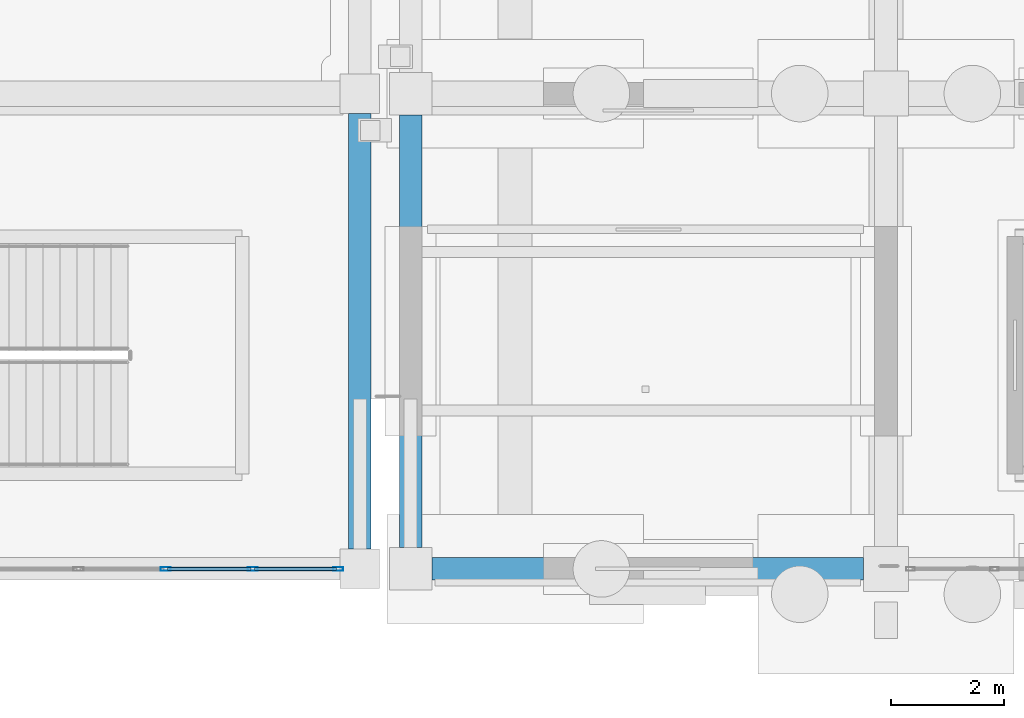
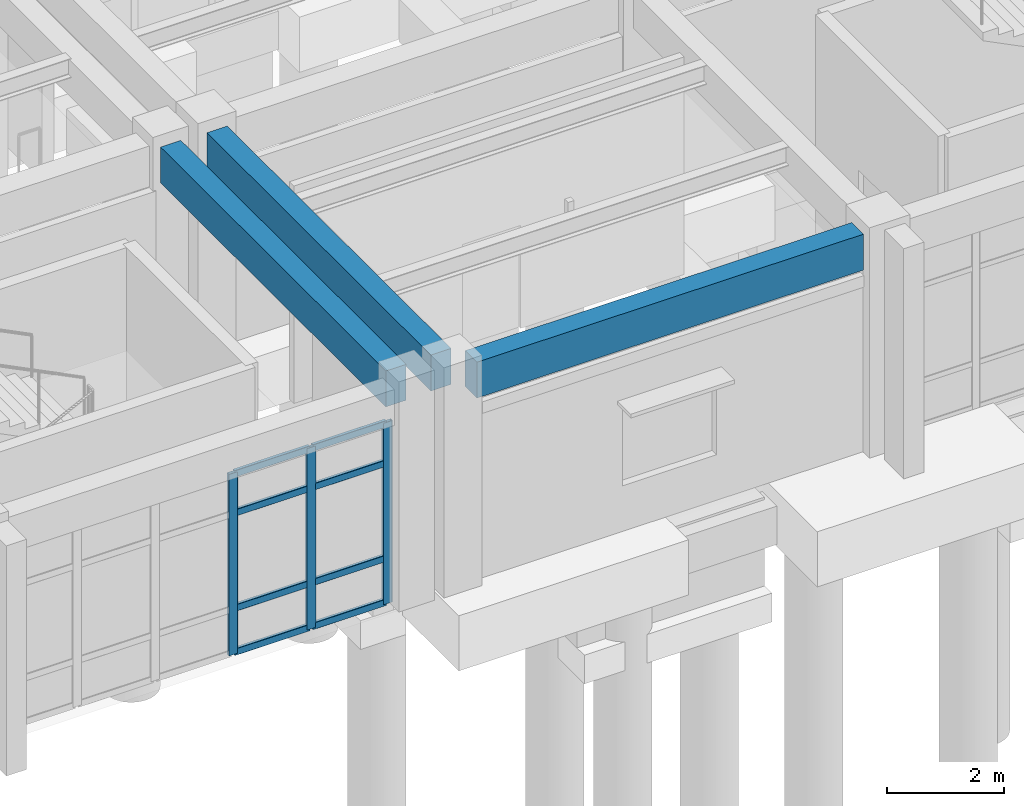
# One storey, part 22 of 111: 11 members, 3 beams, 1 element without a shape of its own.
"""IFC4 building model written with IfcOpenShell, lengths in metres."""

from ifc_helpers import new_model, si_unit, direction, frame, origin, origin_2d, place, context, subcontext, project, spatial, rectangle, hollow_rectangle, extrude, material, material_profile, profile_set, type_object, element, aggregate, save


model = new_model("IFC4")

# Units and contexts
model_context = context("Model", 3, precision=1e-05, world=origin(), true_north=direction((0.0, 1.0)))
body_context = subcontext(model_context, "Body", "Model", "MODEL_VIEW")
ifc_project = project(units=[si_unit("LENGTHUNIT", "METRE"), si_unit("AREAUNIT", "SQUARE_METRE"), si_unit("VOLUMEUNIT", "CUBIC_METRE"), si_unit("PLANEANGLEUNIT", "RADIAN"), si_unit("MASSUNIT", "GRAM", prefix="KILO")], contexts=[model_context])

# Site, building, storey
site_placement = place(None, origin())
site = spatial("IfcSite", under=ifc_project, at=site_placement, CompositionType="ELEMENT")
building_placement = place(site_placement, origin())
building = spatial("IfcBuilding", under=site, at=building_placement, Name="Canglan Escarpment Cableway Terminal", CompositionType="ELEMENT")
storey_placement = place(building_placement, frame((0.0, 0.0, 4.800048828125)))
storey = spatial("IfcBuildingStorey", under=building, at=storey_placement, Name="L01", CompositionType="ELEMENT", Elevation=4.800048828125)

# Beams
ifc_material_1 = material(Name="Concrete C40", Category="concrete")
ifc_material_profile_1 = material_profile(ifc_material_1, rectangle(XDim=0.39990234375, YDim=0.75, at=origin_2d()), Name="RC 400x750")
ifc_profile_set_1 = profile_set([ifc_material_profile_1], Name="Concrete C40")
beam_type_1 = type_object("IfcBeamType", Name="BM-RC400x750", PredefinedType="BEAM", material=ifc_profile_set_1)
beam_1_placement = place(storey_placement, frame((76.10009765625, 8.35009765625, 4.175048828125), z_axis=(0.0, 1.0, 0.0), x_axis=(-1.0, 0.0, 0.0)))
element("IfcBeam", 1, at=beam_1_placement, inside=storey, type_object=beam_type_1, Name="Primary transverse girder B-03", PredefinedType="BEAM", context=body_context, shape_type="SweptSolid", body=[
    extrude(rectangle(XDim=0.39990234375, YDim=0.75, at=origin_2d()), origin(), (0.0, 0.0, 1.0), 7.699951171875),
])
beam_2_placement = place(storey_placement, frame((77.0, 8.375, 4.175048828125), z_axis=(0.0, 1.0, 0.0), x_axis=(-1.0, 0.0, 0.0)))
element("IfcBeam", 2, at=beam_2_placement, inside=storey, type_object=beam_type_1, Name="Primary transverse girder B-03", PredefinedType="BEAM", context=body_context, shape_type="SweptSolid", body=[
    extrude(rectangle(XDim=0.39990234375, YDim=0.75, at=origin_2d()), origin(), (0.0, 0.0, 1.0), 7.64990234375),
])

# Curtain wall, members
ifc_material_2 = material(Name="Anodized bronze aluminium and Low-E double glazing", Category="aluminium")
curtain_wall_type = type_object("IfcCurtainWallType", Name="CW-BAY-7700x3775", PredefinedType="NOTDEFINED", material=ifc_material_2)
curtain_wall_placement = place(storey_placement, origin())
curtain_wall = element("IfcCurtainWall", 3, at=curtain_wall_placement, inside=storey, type_object=curtain_wall_type, Name="Classical bay-between-piers glazed curtain wall CW-04", PredefinedType="NOTDEFINED")
ifc_material_3 = material(Name="Thermally broken anodized aluminium 6063-T6", Category="aluminium")
ifc_material_profile_2 = material_profile(ifc_material_3, hollow_rectangle(XDim=0.06494140625, YDim=0.179931640625, WallThickness=0.00390625, InnerFilletRadius=0.00390625, OuterFilletRadius=0.008056640625, at=origin_2d()), Name="ALU-MULL 65x180x4")
ifc_profile_set_2 = profile_set([ifc_material_profile_2], Name="Thermally broken anodized aluminium 6063-T6")
member_type_1 = type_object("IfcMemberType", Name="CWM-03", PredefinedType="MULLION", material=ifc_profile_set_2)
member_1_placement = place(storey_placement, frame((72.669921875, 8.0, 0.0), z_axis=(0.0, 0.0, 1.0), x_axis=(0.0, 1.0, 0.0)))
member_1 = element("IfcMember", 4, at=member_1_placement, type_object=member_type_1, Name="CW-04 mullion 4", PredefinedType="MULLION", context=body_context, shape_type="SweptSolid", body=[
    extrude(hollow_rectangle(XDim=0.06494140625, YDim=0.179931640625, WallThickness=0.00390625, InnerFilletRadius=0.00390625, OuterFilletRadius=0.008056640625, at=origin_2d()), origin(), (0.0, 0.0, 1.0), 3.784912109375),
])
member_2_placement = place(storey_placement, frame((74.2099609375, 8.0, 0.0), z_axis=(0.0, 0.0, 1.0), x_axis=(0.0, 1.0, 0.0)))
member_2 = element("IfcMember", 5, at=member_2_placement, type_object=member_type_1, Name="CW-04 mullion 5", PredefinedType="MULLION", context=body_context, shape_type="SweptSolid", body=[
    extrude(hollow_rectangle(XDim=0.06494140625, YDim=0.179931640625, WallThickness=0.00390625, InnerFilletRadius=0.00390625, OuterFilletRadius=0.008056640625, at=origin_2d()), origin(), (0.0, 0.0, 1.0), 3.784912109375),
])
member_3_placement = place(storey_placement, frame((75.717529296875, 8.0, 0.0), z_axis=(0.0, 0.0, 1.0), x_axis=(0.0, 1.0, 0.0)))
member_3 = element("IfcMember", 6, at=member_3_placement, type_object=member_type_1, Name="CW-04 mullion 6", PredefinedType="MULLION", context=body_context, shape_type="SweptSolid", body=[
    extrude(hollow_rectangle(XDim=0.06494140625, YDim=0.179931640625, WallThickness=0.00390625, InnerFilletRadius=0.00390625, OuterFilletRadius=0.008056640625, at=origin_2d()), origin(), (0.0, 0.0, 1.0), 3.784912109375),
])
ifc_material_profile_3 = material_profile(ifc_material_3, hollow_rectangle(XDim=0.06494140625, YDim=0.139892578125, WallThickness=0.00341796875, InnerFilletRadius=0.00341796875, OuterFilletRadius=0.007080078125, at=origin_2d()), Name="ALU-TRAN 65x140x3.5")
ifc_profile_set_3 = profile_set([ifc_material_profile_3], Name="Thermally broken anodized aluminium 6063-T6")
member_type_2 = type_object("IfcMemberType", Name="CWT-03", PredefinedType="USERDEFINED", material=ifc_profile_set_3)
member_4_placement = place(storey_placement, frame((72.702392578125, 8.0, 0.032470703125), z_axis=(1.0, 0.0, 0.0), x_axis=(0.0, 1.0, 0.0)))
member_4 = element("IfcMember", 7, at=member_4_placement, type_object=member_type_2, Name="CW-04 transom 4.1", ObjectType="TRANSOM", PredefinedType="USERDEFINED", context=body_context, shape_type="SweptSolid", body=[
    extrude(hollow_rectangle(XDim=0.06494140625, YDim=0.139892578125, WallThickness=0.00341796875, InnerFilletRadius=0.00341796875, OuterFilletRadius=0.007080078125, at=origin_2d()), origin(), (0.0, 0.0, 1.0), 1.47509765625),
])
member_5_placement = place(storey_placement, frame((72.702392578125, 8.0, 0.949951171875), z_axis=(1.0, 0.0, 0.0), x_axis=(0.0, 1.0, 0.0)))
member_5 = element("IfcMember", 8, at=member_5_placement, type_object=member_type_2, Name="CW-04 transom 4.2", ObjectType="TRANSOM", PredefinedType="USERDEFINED", context=body_context, shape_type="SweptSolid", body=[
    extrude(hollow_rectangle(XDim=0.06494140625, YDim=0.139892578125, WallThickness=0.00341796875, InnerFilletRadius=0.00341796875, OuterFilletRadius=0.007080078125, at=origin_2d()), origin(), (0.0, 0.0, 1.0), 1.47509765625),
])
member_6_placement = place(storey_placement, frame((72.702392578125, 8.0, 2.93505859375), z_axis=(1.0, 0.0, 0.0), x_axis=(0.0, 1.0, 0.0)))
member_6 = element("IfcMember", 9, at=member_6_placement, type_object=member_type_2, Name="CW-04 transom 4.3", ObjectType="TRANSOM", PredefinedType="USERDEFINED", context=body_context, shape_type="SweptSolid", body=[
    extrude(hollow_rectangle(XDim=0.06494140625, YDim=0.139892578125, WallThickness=0.00341796875, InnerFilletRadius=0.00341796875, OuterFilletRadius=0.007080078125, at=origin_2d()), origin(), (0.0, 0.0, 1.0), 1.47509765625),
])
member_7_placement = place(storey_placement, frame((72.702392578125, 8.0, 3.75244140625), z_axis=(1.0, 0.0, 0.0), x_axis=(0.0, 1.0, 0.0)))
member_7 = element("IfcMember", 10, at=member_7_placement, type_object=member_type_2, Name="CW-04 transom 4.4", ObjectType="TRANSOM", PredefinedType="USERDEFINED", context=body_context, shape_type="SweptSolid", body=[
    extrude(hollow_rectangle(XDim=0.06494140625, YDim=0.139892578125, WallThickness=0.00341796875, InnerFilletRadius=0.00341796875, OuterFilletRadius=0.007080078125, at=origin_2d()), origin(), (0.0, 0.0, 1.0), 1.47509765625),
])
member_8_placement = place(storey_placement, frame((74.242431640625, 8.0, 0.032470703125), z_axis=(1.0, 0.0, 0.0), x_axis=(0.0, 1.0, 0.0)))
member_8 = element("IfcMember", 11, at=member_8_placement, type_object=member_type_2, Name="CW-04 transom 5.1", ObjectType="TRANSOM", PredefinedType="USERDEFINED", context=body_context, shape_type="SweptSolid", body=[
    extrude(hollow_rectangle(XDim=0.06494140625, YDim=0.139892578125, WallThickness=0.00341796875, InnerFilletRadius=0.00341796875, OuterFilletRadius=0.007080078125, at=origin_2d()), origin(), (0.0, 0.0, 1.0), 1.442626953125),
])
member_9_placement = place(storey_placement, frame((74.242431640625, 8.0, 0.949951171875), z_axis=(1.0, 0.0, 0.0), x_axis=(0.0, 1.0, 0.0)))
member_9 = element("IfcMember", 12, at=member_9_placement, type_object=member_type_2, Name="CW-04 transom 5.2", ObjectType="TRANSOM", PredefinedType="USERDEFINED", context=body_context, shape_type="SweptSolid", body=[
    extrude(hollow_rectangle(XDim=0.06494140625, YDim=0.139892578125, WallThickness=0.00341796875, InnerFilletRadius=0.00341796875, OuterFilletRadius=0.007080078125, at=origin_2d()), origin(), (0.0, 0.0, 1.0), 1.442626953125),
])
member_10_placement = place(storey_placement, frame((74.242431640625, 8.0, 2.93505859375), z_axis=(1.0, 0.0, 0.0), x_axis=(0.0, 1.0, 0.0)))
member_10 = element("IfcMember", 13, at=member_10_placement, type_object=member_type_2, Name="CW-04 transom 5.3", ObjectType="TRANSOM", PredefinedType="USERDEFINED", context=body_context, shape_type="SweptSolid", body=[
    extrude(hollow_rectangle(XDim=0.06494140625, YDim=0.139892578125, WallThickness=0.00341796875, InnerFilletRadius=0.00341796875, OuterFilletRadius=0.007080078125, at=origin_2d()), origin(), (0.0, 0.0, 1.0), 1.442626953125),
])
member_11_placement = place(storey_placement, frame((74.242431640625, 8.0, 3.75244140625), z_axis=(1.0, 0.0, 0.0), x_axis=(0.0, 1.0, 0.0)))
member_11 = element("IfcMember", 14, at=member_11_placement, type_object=member_type_2, Name="CW-04 transom 5.4", ObjectType="TRANSOM", PredefinedType="USERDEFINED", context=body_context, shape_type="SweptSolid", body=[
    extrude(hollow_rectangle(XDim=0.06494140625, YDim=0.139892578125, WallThickness=0.00341796875, InnerFilletRadius=0.00341796875, OuterFilletRadius=0.007080078125, at=origin_2d()), origin(), (0.0, 0.0, 1.0), 1.442626953125),
])
aggregate(curtain_wall, [member_1, member_2, member_3, member_4, member_5, member_6, member_7, member_8, member_9, member_10, member_11])

# Beam
ifc_material_profile_4 = material_profile(ifc_material_1, rectangle(XDim=0.39990234375, YDim=0.75, at=origin_2d()), Name="RC 400x750")
ifc_profile_set_4 = profile_set([ifc_material_profile_4], Name="Concrete C40")
beam_type_2 = type_object("IfcBeamType", Name="SP-RC400x750", PredefinedType="SPANDREL", material=ifc_profile_set_4)
beam_3_placement = place(storey_placement, frame((77.375, 8.0, 4.175048828125), z_axis=(1.0, 0.0, 0.0), x_axis=(0.0, 1.0, 0.0)))
element("IfcBeam", 15, at=beam_3_placement, inside=storey, type_object=beam_type_2, Name="Primary structural girder SP-01", PredefinedType="SPANDREL", context=body_context, shape_type="SweptSolid", body=[
    extrude(rectangle(XDim=0.39990234375, YDim=0.75, at=origin_2d()), origin(), (0.0, 0.0, 1.0), 7.625),
])

save(model, "model.ifc")
